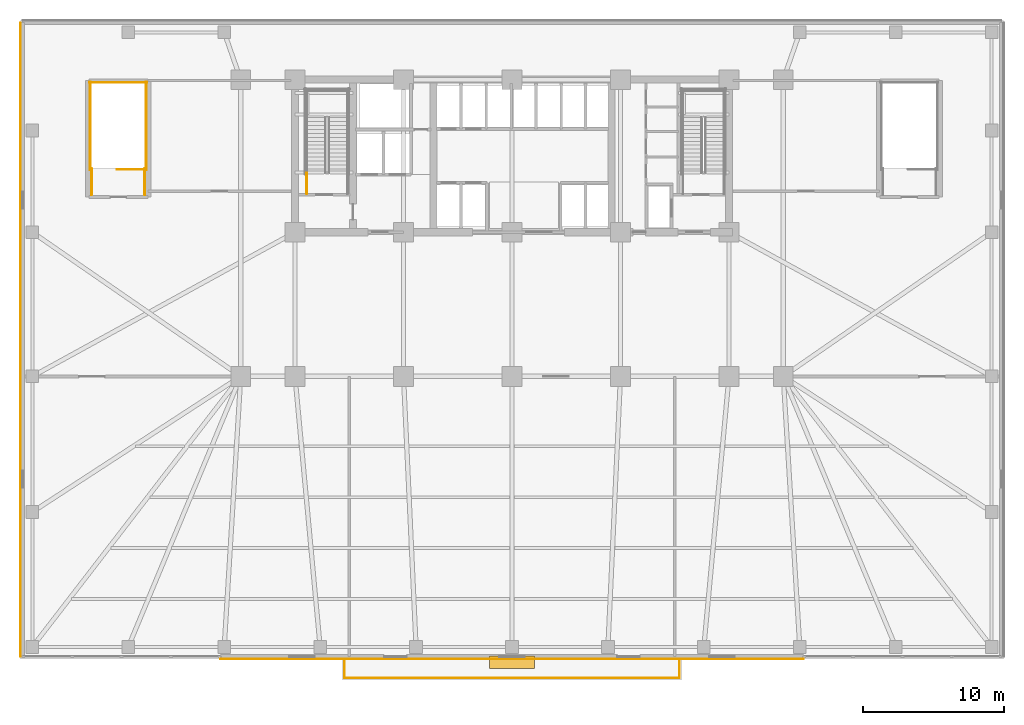
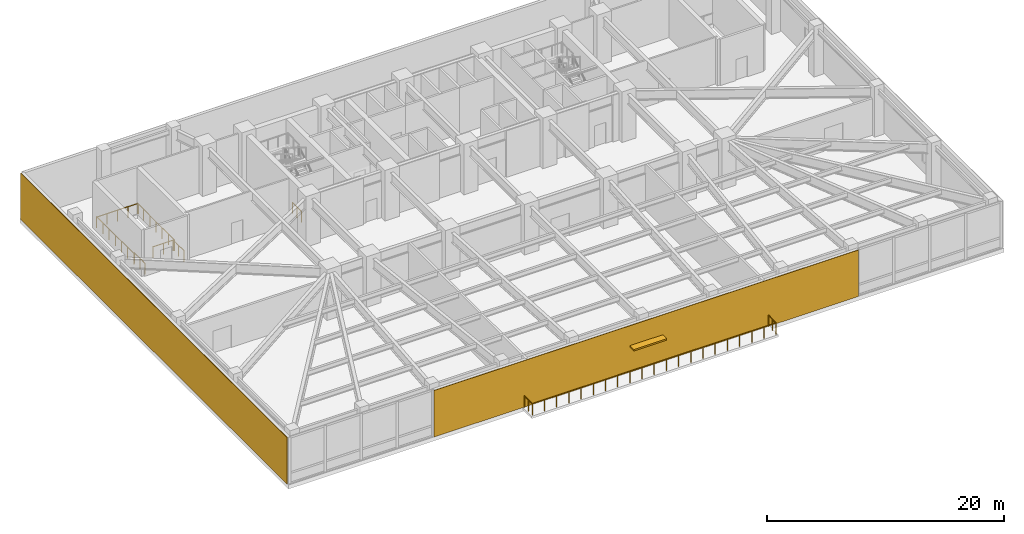
# One storey, part 11 of 15: 8 railings, 2 coverings, 1 shading device.
"""IFC4 building model written with IfcOpenShell, lengths in metres."""

import ifcopenshell
import ifcopenshell.guid

model = None  # the IFC model being written
_history = None  # IfcOwnerHistory: only IFC2X3 demands one
_inside = {}  # id of a spatial element -> (the spatial element, [elements in it])
_under = {}  # id of a project, library or spatial element -> (it, [spatial elements below it])
_declared = {}  # id of a project -> (the project, [libraries it declares])
_typed = {}  # id of a type object -> (the type object, [elements of that type])
_made_of = {}  # id of a material, layer set ... -> (it, [elements and type objects made of it])


def new_model(schema):
    """Start an empty IFC model of exactly this schema.

    Asked for "IFC4X3", IfcOpenShell would pick the latest addendum, in which some entities
    have other attributes; the version numbers below select the first issue.
    IFC2X3 requires an IfcOwnerHistory on every rooted entity: one is made here for all.
    """
    global model, _history
    if schema == "IFC4X3":
        model = ifcopenshell.file(schema_version=(4, 3, 0, 0))
    else:
        model = ifcopenshell.file(schema=schema)
    _inside.clear()
    _under.clear()
    _declared.clear()
    _typed.clear()
    _made_of.clear()
    _history = None
    if model.schema == "IFC2X3":
        org = make("IfcOrganization", Name="unknown")
        user = make(
            "IfcPersonAndOrganization",
            ThePerson=make("IfcPerson", FamilyName="unknown"),
            TheOrganization=org,
        )
        app = make(
            "IfcApplication",
            ApplicationDeveloper=org,
            Version="unknown",
            ApplicationFullName="unknown",
            ApplicationIdentifier="unknown",
        )
        _history = make(
            "IfcOwnerHistory",
            OwningUser=user,
            OwningApplication=app,
            ChangeAction="ADDED",
            CreationDate=0,
        )
    return model


def make(cls, **values):
    """One entity of the class cls with the attributes given. An attribute that is None is left unset."""
    return model.create_entity(
        cls, **{name: value for name, value in values.items() if value is not None}
    )


def rooted(cls, **values):
    """An entity with a GlobalId (a new one), such as an element, a storey or a relation."""
    return make(cls, GlobalId=ifcopenshell.guid.new(), OwnerHistory=_history, **values)


def si_unit(unit_type, name, prefix=None):
    """IfcSIUnit, for example si_unit("LENGTHUNIT", "METRE", prefix="MILLI")."""
    return make("IfcSIUnit", UnitType=unit_type, Prefix=prefix, Name=name)


def assignment(units):
    """IfcUnitAssignment: the units of a project."""
    return None if units is None else make("IfcUnitAssignment", Units=units)


def point(xyz):
    """IfcCartesianPoint."""
    return None if xyz is None else make("IfcCartesianPoint", Coordinates=xyz)


def direction(xyz):
    """IfcDirection."""
    return None if xyz is None else make("IfcDirection", DirectionRatios=xyz)


def frame(location, z_axis=None, x_axis=None):
    """IfcAxis2Placement3D, a coordinate frame: its origin and axes. An axis left out is left unset."""
    return make(
        "IfcAxis2Placement3D",
        Location=point(location),
        Axis=direction(z_axis),
        RefDirection=direction(x_axis),
    )


def frame_2d(location, x_axis=None):
    """IfcAxis2Placement2D, a coordinate frame in the plane: its origin and x axis."""
    return make(
        "IfcAxis2Placement2D", Location=point(location), RefDirection=direction(x_axis)
    )


def origin():
    """The frame at (0, 0, 0) with its axes left unset."""
    return frame((0.0, 0.0, 0.0))


def origin_2d():
    """The frame at (0, 0) in the plane with its x axis left unset."""
    return frame_2d((0.0, 0.0))


def place(relative_to, where):
    """IfcLocalPlacement: puts the frame where relative to a parent placement (None: the world)."""
    return make(
        "IfcLocalPlacement", PlacementRelTo=relative_to, RelativePlacement=where
    )


def context(
    kind, dimensions, precision=None, world=None, true_north=None, identifier=None
):
    """IfcGeometricRepresentationContext, for example the 3D "Model" context."""
    return make(
        "IfcGeometricRepresentationContext",
        ContextIdentifier=identifier,
        ContextType=kind,
        CoordinateSpaceDimension=dimensions,
        Precision=precision,
        WorldCoordinateSystem=world,
        TrueNorth=true_north,
    )


def subcontext(parent, identifier, kind, view, scale=None):
    """IfcGeometricRepresentationSubContext, for example "Body" below "Model"."""
    return make(
        "IfcGeometricRepresentationSubContext",
        ContextIdentifier=identifier,
        ContextType=kind,
        ParentContext=parent,
        TargetScale=scale,
        TargetView=view,
    )


def project(units=None, contexts=None):
    """IfcProject with its units and contexts."""
    return rooted(
        "IfcProject",
        Name="project",
        RepresentationContexts=contexts,
        UnitsInContext=assignment(units),
    )


def spatial(cls, under=None, at=None, **own):
    """A site, building, storey or space (cls), placed at a placement, below another one or the project."""
    s = rooted(cls, ObjectPlacement=at, **own)
    if under is not None:
        _under.setdefault(under.id(), (under, []))[1].append(s)
    return s


def profile(cls, at=None, kind="AREA", **sizes):
    """A parametric profile (cls). Its sizes go by their IFC names, for example OverallWidth=200.0."""
    return make(cls, ProfileType=kind, Position=at, **sizes)


def rectangle(**sizes):
    """IfcRectangleProfileDef."""
    return profile("IfcRectangleProfileDef", **sizes)


def circle(**sizes):
    """IfcCircleProfileDef."""
    return profile("IfcCircleProfileDef", **sizes)


def extrude(swept, where, along, depth):
    """IfcExtrudedAreaSolid: the profile swept, set in the frame where, extruded along a direction by depth."""
    return make(
        "IfcExtrudedAreaSolid",
        SweptArea=swept,
        Position=where,
        ExtrudedDirection=direction(along),
        Depth=depth,
    )


def shape(context_of_items, identifier, shape_type, items):
    """IfcShapeRepresentation: the items that make up one representation, for example the "Body"."""
    return make(
        "IfcShapeRepresentation",
        ContextOfItems=context_of_items,
        RepresentationIdentifier=identifier,
        RepresentationType=shape_type,
        Items=items,
    )


def material(Name=None, Category=None):
    """IfcMaterial."""
    return make("IfcMaterial", Name=Name, Category=Category)


def layer(
    of_material, thickness, ventilated=None, Name=None, Category=None, Priority=None
):
    """IfcMaterialLayer: one layer of a wall or slab, of a material (None: an air gap)."""
    return make(
        "IfcMaterialLayer",
        Material=of_material,
        LayerThickness=thickness,
        IsVentilated=ventilated,
        Name=Name,
        Category=Category,
        Priority=Priority,
    )


def layer_set(layers, Name=None):
    """IfcMaterialLayerSet."""
    return make("IfcMaterialLayerSet", MaterialLayers=layers, LayerSetName=Name)


def made_of(thing, what):
    """Note that an element or type object is made of a material, layer set ...; save() writes the relation."""
    if what is not None:
        _made_of.setdefault(what.id(), (what, []))[1].append(thing)
    return thing


def type_object(cls, material=None, **own):
    """A type object (cls), such as IfcWallType, which elements share."""
    return made_of(rooted(cls, **own), material)


def element(
    cls,
    number,
    at=None,
    inside=None,
    cuts=None,
    type_object=None,
    material=None,
    context=None,
    identifier="Body",
    shape_type=None,
    held_by="IfcProductDefinitionShape",
    body=None,
    shapes=None,
    **own,
):
    """One element of the class cls, such as IfcWall. Its Tag is "e" and its number.

    at: its placement. inside: the storey or other place that contains it. cuts: it is an
    opening in that element (IfcRelVoidsElement). A single representation is given by context,
    identifier, shape_type and body (its items); several are given by shapes. held_by: the class
    of the entity that holds the representations. save() writes the other relations.
    """
    e = rooted(cls, Tag="e%d" % number, ObjectPlacement=at, **own)
    if body is not None:
        shapes = [shape(context, identifier, shape_type, body)]
    if shapes is not None:
        e.Representation = make(held_by, Representations=shapes)
    if inside is not None:
        _inside.setdefault(inside.id(), (inside, []))[1].append(e)
    if cuts is not None:
        rooted(
            "IfcRelVoidsElement", RelatingBuildingElement=cuts, RelatedOpeningElement=e
        )
    if type_object is not None:
        _typed.setdefault(type_object.id(), (type_object, []))[1].append(e)
    return made_of(e, material)


def aggregate(whole, parts):
    """IfcRelAggregates: a whole, such as a stair, and the parts it consists of."""
    return rooted("IfcRelAggregates", RelatingObject=whole, RelatedObjects=parts)


def save(model, path):
    """Write the relations noted so far, then the file.

    IfcRelAggregates (storeys below a building ...), IfcRelContainedInSpatialStructure (elements
    in a storey), IfcRelDefinesByType, IfcRelAssociatesMaterial and IfcRelDeclares: one each for
    every whole, place, type object, material and project.
    """
    for whole, parts in _under.values():
        aggregate(whole, parts)
    for where, things in _inside.values():
        rooted(
            "IfcRelContainedInSpatialStructure",
            RelatedElements=things,
            RelatingStructure=where,
        )
    for kind, things in _typed.values():
        rooted("IfcRelDefinesByType", RelatedObjects=things, RelatingType=kind)
    for what, things in _made_of.values():
        rooted("IfcRelAssociatesMaterial", RelatedObjects=things, RelatingMaterial=what)
    for by, libraries in _declared.values():
        rooted("IfcRelDeclares", RelatingContext=by, RelatedDefinitions=libraries)
    model.write(path)


model = new_model("IFC4")

# Units and contexts
model_context = context("Model", 3, precision=1e-05, world=origin(), true_north=direction((0.0, 1.0)))
body_context = subcontext(model_context, "Body", "Model", "MODEL_VIEW")
ifc_project = project(units=[si_unit("LENGTHUNIT", "METRE"), si_unit("AREAUNIT", "SQUARE_METRE"), si_unit("VOLUMEUNIT", "CUBIC_METRE"), si_unit("PLANEANGLEUNIT", "RADIAN"), si_unit("MASSUNIT", "GRAM", prefix="KILO")], contexts=[model_context])

# Site, building, storey
site_placement = place(None, origin())
site = spatial("IfcSite", under=ifc_project, at=site_placement, CompositionType="ELEMENT")
building_placement = place(site_placement, origin())
building = spatial("IfcBuilding", under=site, at=building_placement, Name="Yelkora Congress Tower", CompositionType="ELEMENT")
storey_placement = place(building_placement, frame((0.0, 0.0, 25.199951171875)))
storey = spatial("IfcBuildingStorey", under=building, at=storey_placement, Name="L05", CompositionType="ELEMENT", Elevation=25.199951171875)

# Coverings
ifc_material_1 = material(Name="Anatolian honed limestone ashlar", Category="masonry")
ifc_layer_1 = layer(ifc_material_1, 0.050048828125)
ifc_layer_set_1 = layer_set([ifc_layer_1], Name="Anatolian honed limestone ashlar")
covering_type = type_object("IfcCoveringType", Name="COV-CLAD-LIMESTONE-50", PredefinedType="CLADDING", material=ifc_layer_set_1)
covering_1_placement = place(storey_placement, frame((3.60009765625, 5.360107421875, 0.0), z_axis=(0.0, 0.0, 1.0), x_axis=(0.0, 1.0, 0.0)))
element("IfcCovering", 1, at=covering_1_placement, inside=storey, type_object=covering_type, Name="L05 Anatolian Limestone Cladding EW-L05-E01", PredefinedType="CLADDING", context=body_context, shape_type="SweptSolid", body=[
    extrude(rectangle(XDim=44.8798828125, YDim=0.050048828125, at=frame_2d((22.43994140625, 0.0))), origin(), (0.0, 0.0, 1.0), 4.780029296875),
])
covering_2_placement = place(storey_placement, frame((17.760009765625, 5.199951171875, 0.0), z_axis=(0.0, 0.0, 1.0), x_axis=(1.0, 0.0, 0.0)))
element("IfcCovering", 2, at=covering_2_placement, inside=storey, type_object=covering_type, Name="L05 Anatolian Limestone Cladding EW-L05-S-TER", PredefinedType="CLADDING", context=body_context, shape_type="SweptSolid", body=[
    extrude(rectangle(XDim=41.280029296875, YDim=0.050048828125, at=frame_2d((20.64013671875, 0.0))), origin(), (0.0, 0.0, 1.0), 4.780029296875),
])

# Railings
ifc_material_2 = material(Name="Painted galvanised steel stair well guard with vertical infill", Category="steel")
ifc_layer_2 = layer(ifc_material_2, 0.06005859375)
ifc_layer_set_2 = layer_set([ifc_layer_2], Name="Painted galvanised steel stair well guard with vertical infill")
railing_type_1 = type_object("IfcRailingType", Name="RAIL-STAIR-GUARD-1120", PredefinedType="GUARDRAIL", material=ifc_layer_set_2)
railing_1_placement = place(storey_placement, frame((23.8701171875, 38.1201171875, 0.0)))
element("IfcRailing", 3, at=railing_1_placement, inside=storey, type_object=railing_type_1, Name="ST-01 L05 Stair Well Guardrail 9", PredefinedType="GUARDRAIL", context=body_context, shape_type="SweptSolid", body=[
    extrude(circle(Radius=0.02392578125, at=origin_2d()), frame((0.0, 0.0, 1.09619140625), z_axis=(0.0, 1.0, 0.0), x_axis=(-1.0, 0.0, 0.0)), (0.0, 0.0, 1.0), 1.47998046875),
    extrude(circle(Radius=0.02099609375, at=origin_2d()), origin(), (0.0, 0.0, 1.0), 1.072021484375),
    extrude(circle(Radius=0.02099609375, at=origin_2d()), frame((0.0, 0.739990234375, 0.0)), (0.0, 0.0, 1.0), 1.072021484375),
    extrude(circle(Radius=0.02099609375, at=origin_2d()), frame((0.0, 1.47998046875, 0.0)), (0.0, 0.0, 1.0), 1.072021484375),
])
railing_2_placement = place(storey_placement, frame((12.4599609375, 39.85009765625, 0.0)))
element("IfcRailing", 4, at=railing_2_placement, inside=storey, type_object=railing_type_1, Name="ST-P1 L05 Top Stair-Well Guardrail 1", PredefinedType="GUARDRAIL", context=body_context, shape_type="SweptSolid", body=[
    extrude(circle(Radius=0.02392578125, at=origin_2d()), frame((0.0, 0.0, 1.09619140625), z_axis=(-1.0, 0.0, 0.0), x_axis=(0.0, -1.0, 0.0)), (0.0, 0.0, 1.0), 2.010009765625),
    extrude(circle(Radius=0.02099609375, at=origin_2d()), origin(), (0.0, 0.0, 1.0), 1.072021484375),
    extrude(circle(Radius=0.02099609375, at=origin_2d()), frame((-1.0048828125, 0.0, 0.0)), (0.0, 0.0, 1.0), 1.072021484375),
    extrude(circle(Radius=0.02099609375, at=origin_2d()), frame((-2.010009765625, 0.0, 0.0)), (0.0, 0.0, 1.0), 1.072021484375),
])
for number, where, name in (
    (5, (12.510009765625, 39.800048828125, 0.0), "ST-P1 L05 Top Stair-Well Guardrail 2"),
    (6, (8.550048828125, 39.800048828125, 0.0), "ST-P1 L05 Top Stair-Well Guardrail 3"),
):
    element("IfcRailing", number, at=place(storey_placement, frame(where)), inside=storey, type_object=railing_type_1, Name=name, PredefinedType="GUARDRAIL", context=body_context, shape_type="SweptSolid", body=[
        extrude(circle(Radius=0.02392578125, at=origin_2d()), frame((0.0, 0.0, 1.09619140625), z_axis=(0.0, 1.0, 0.0), x_axis=(-1.0, 0.0, 0.0)), (0.0, 0.0, 1.0), 6.25),
        extrude(circle(Radius=0.02099609375, at=origin_2d()), origin(), (0.0, 0.0, 1.0), 1.072021484375),
        extrude(circle(Radius=0.02099609375, at=origin_2d()), frame((0.0, 1.041748046875, 0.0)), (0.0, 0.0, 1.0), 1.072021484375),
        extrude(circle(Radius=0.02099609375, at=origin_2d()), frame((0.0, 2.083251953125, 0.0)), (0.0, 0.0, 1.0), 1.072021484375),
        extrude(circle(Radius=0.02099609375, at=origin_2d()), frame((0.0, 3.125, 0.0)), (0.0, 0.0, 1.0), 1.072021484375),
        extrude(circle(Radius=0.02099609375, at=origin_2d()), frame((0.0, 4.166748046875, 0.0)), (0.0, 0.0, 1.0), 1.072021484375),
        extrude(circle(Radius=0.02099609375, at=origin_2d()), frame((0.0, 5.208251953125, 0.0)), (0.0, 0.0, 1.0), 1.072021484375),
        extrude(circle(Radius=0.02099609375, at=origin_2d()), frame((0.0, 6.25, 0.0)), (0.0, 0.0, 1.0), 1.072021484375),
    ])
railing_3_placement = place(storey_placement, frame((12.56005859375, 46.0, 0.0)))
element("IfcRailing", 7, at=railing_3_placement, inside=storey, type_object=railing_type_1, Name="ST-P1 L05 Top Stair-Well Guardrail 4", PredefinedType="GUARDRAIL", context=body_context, shape_type="SweptSolid", body=[
    extrude(circle(Radius=0.02392578125, at=origin_2d()), frame((0.0, 0.0, 1.09619140625), z_axis=(-1.0, 0.0, 0.0), x_axis=(0.0, -1.0, 0.0)), (0.0, 0.0, 1.0), 4.06005859375),
    extrude(circle(Radius=0.02099609375, at=origin_2d()), origin(), (0.0, 0.0, 1.0), 1.072021484375),
    extrude(circle(Radius=0.02099609375, at=origin_2d()), frame((-1.01513671875, 0.0, 0.0)), (0.0, 0.0, 1.0), 1.072021484375),
    extrude(circle(Radius=0.02099609375, at=origin_2d()), frame((-2.030029296875, 0.0, 0.0)), (0.0, 0.0, 1.0), 1.072021484375),
    extrude(circle(Radius=0.02099609375, at=origin_2d()), frame((-3.044921875, 0.0, 0.0)), (0.0, 0.0, 1.0), 1.072021484375),
    extrude(circle(Radius=0.02099609375, at=origin_2d()), frame((-4.06005859375, 0.0, 0.0)), (0.0, 0.0, 1.0), 1.072021484375),
])
for number, where, name in (
    (8, (12.409912109375, 38.050048828125, 0.0), "ST-P1 L05 Top Stair-Well Guardrail 5"),
    (9, (8.64990234375, 38.050048828125, 0.0), "ST-P1 L05 Top Stair-Well Guardrail 6"),
):
    element("IfcRailing", number, at=place(storey_placement, frame(where)), inside=storey, type_object=railing_type_1, Name=name, PredefinedType="GUARDRAIL", context=body_context, shape_type="SweptSolid", body=[
        extrude(circle(Radius=0.02392578125, at=origin_2d()), frame((0.0, 0.0, 1.09619140625), z_axis=(0.0, 1.0, 0.0), x_axis=(-1.0, 0.0, 0.0)), (0.0, 0.0, 1.0), 1.849853515625),
        extrude(circle(Radius=0.02099609375, at=origin_2d()), origin(), (0.0, 0.0, 1.0), 1.072021484375),
        extrude(circle(Radius=0.02099609375, at=origin_2d()), frame((0.0, 0.9248046875, 0.0)), (0.0, 0.0, 1.0), 1.072021484375),
        extrude(circle(Radius=0.02099609375, at=origin_2d()), frame((0.0, 1.849853515625, 0.0)), (0.0, 0.0, 1.0), 1.072021484375),
    ])
ifc_material_3 = material(Name="Laminated structural glass balustrade with stainless cap rail", Category="glass")
ifc_layer_3 = layer(ifc_material_3, 0.10009765625)
ifc_layer_set_3 = layer_set([ifc_layer_3], Name="Laminated structural glass balustrade with stainless cap rail")
railing_type_2 = type_object("IfcRailingType", Name="RAIL-TER-BALUSTRADE-1180", PredefinedType="BALUSTRADE", material=ifc_layer_set_3)
railing_4_placement = place(storey_placement, frame((26.5400390625, 5.159912109375, 0.0)))
element("IfcRailing", 10, at=railing_4_placement, inside=storey, type_object=railing_type_2, Name="L05 Sky Garden Terrace Perimeter Guardrail", PredefinedType="BALUSTRADE", context=body_context, shape_type="SweptSolid", body=[
    extrude(circle(Radius=0.02392578125, at=origin_2d()), frame((0.0, 0.0, 1.15576171875), z_axis=(0.0, -1.0, 0.0), x_axis=(1.0, 0.0, 0.0)), (0.0, 0.0, 1.0), 1.31982421875),
    extrude(circle(Radius=0.02392578125, at=origin_2d()), frame((0.0, -1.31982421875, 1.15576171875), z_axis=(1.0, 0.0, 0.0), x_axis=(0.0, 1.0, 0.0)), (0.0, 0.0, 1.0), 23.719970703125),
    extrude(circle(Radius=0.02392578125, at=origin_2d()), frame((23.719970703125, -1.31982421875, 1.15576171875), z_axis=(0.0, 1.0, 0.0), x_axis=(-1.0, 0.0, 0.0)), (0.0, 0.0, 1.0), 1.31982421875),
    extrude(circle(Radius=0.02099609375, at=origin_2d()), origin(), (0.0, 0.0, 1.0), 1.1318359375),
    extrude(circle(Radius=0.02099609375, at=origin_2d()), frame((0.0, -0.659912109375, 0.0)), (0.0, 0.0, 1.0), 1.1318359375),
    extrude(circle(Radius=0.02099609375, at=origin_2d()), frame((0.0, -1.31982421875, 0.0)), (0.0, 0.0, 1.0), 1.1318359375),
    extrude(circle(Radius=0.02099609375, at=origin_2d()), frame((1.18603515625, -1.31982421875, 0.0)), (0.0, 0.0, 1.0), 1.1318359375),
    extrude(circle(Radius=0.02099609375, at=origin_2d()), frame((2.3720703125, -1.31982421875, 0.0)), (0.0, 0.0, 1.0), 1.1318359375),
    extrude(circle(Radius=0.02099609375, at=origin_2d()), frame((3.55810546875, -1.31982421875, 0.0)), (0.0, 0.0, 1.0), 1.1318359375),
    extrude(circle(Radius=0.02099609375, at=origin_2d()), frame((4.743896484375, -1.31982421875, 0.0)), (0.0, 0.0, 1.0), 1.1318359375),
    extrude(circle(Radius=0.02099609375, at=origin_2d()), frame((5.929931640625, -1.31982421875, 0.0)), (0.0, 0.0, 1.0), 1.1318359375),
    extrude(circle(Radius=0.02099609375, at=origin_2d()), frame((7.115966796875, -1.31982421875, 0.0)), (0.0, 0.0, 1.0), 1.1318359375),
    extrude(circle(Radius=0.02099609375, at=origin_2d()), frame((8.302001953125, -1.31982421875, 0.0)), (0.0, 0.0, 1.0), 1.1318359375),
    extrude(circle(Radius=0.02099609375, at=origin_2d()), frame((9.488037109375, -1.31982421875, 0.0)), (0.0, 0.0, 1.0), 1.1318359375),
    extrude(circle(Radius=0.02099609375, at=origin_2d()), frame((10.674072265625, -1.31982421875, 0.0)), (0.0, 0.0, 1.0), 1.1318359375),
    extrude(circle(Radius=0.02099609375, at=origin_2d()), frame((11.85986328125, -1.31982421875, 0.0)), (0.0, 0.0, 1.0), 1.1318359375),
    extrude(circle(Radius=0.02099609375, at=origin_2d()), frame((13.0458984375, -1.31982421875, 0.0)), (0.0, 0.0, 1.0), 1.1318359375),
    extrude(circle(Radius=0.02099609375, at=origin_2d()), frame((14.23193359375, -1.31982421875, 0.0)), (0.0, 0.0, 1.0), 1.1318359375),
    extrude(circle(Radius=0.02099609375, at=origin_2d()), frame((15.41796875, -1.31982421875, 0.0)), (0.0, 0.0, 1.0), 1.1318359375),
    extrude(circle(Radius=0.02099609375, at=origin_2d()), frame((16.60400390625, -1.31982421875, 0.0)), (0.0, 0.0, 1.0), 1.1318359375),
    extrude(circle(Radius=0.02099609375, at=origin_2d()), frame((17.7900390625, -1.31982421875, 0.0)), (0.0, 0.0, 1.0), 1.1318359375),
    extrude(circle(Radius=0.02099609375, at=origin_2d()), frame((18.97607421875, -1.31982421875, 0.0)), (0.0, 0.0, 1.0), 1.1318359375),
    extrude(circle(Radius=0.02099609375, at=origin_2d()), frame((20.161865234375, -1.31982421875, 0.0)), (0.0, 0.0, 1.0), 1.1318359375),
    extrude(circle(Radius=0.02099609375, at=origin_2d()), frame((21.347900390625, -1.31982421875, 0.0)), (0.0, 0.0, 1.0), 1.1318359375),
    extrude(circle(Radius=0.02099609375, at=origin_2d()), frame((22.533935546875, -1.31982421875, 0.0)), (0.0, 0.0, 1.0), 1.1318359375),
    extrude(circle(Radius=0.02099609375, at=origin_2d()), frame((23.719970703125, -1.31982421875, 0.0)), (0.0, 0.0, 1.0), 1.1318359375),
    extrude(circle(Radius=0.02099609375, at=origin_2d()), frame((23.719970703125, -0.659912109375, 0.0)), (0.0, 0.0, 1.0), 1.1318359375),
    extrude(circle(Radius=0.02099609375, at=origin_2d()), frame((23.719970703125, 0.0, 0.0)), (0.0, 0.0, 1.0), 1.1318359375),
])

# Shading device
ifc_material_4 = material(Name="Anodised aluminium aerofoil", Category="aluminium")
ifc_layer_4 = layer(ifc_material_4, 0.159912109375)
ifc_layer_set_4 = layer_set([ifc_layer_4], Name="Anodised aluminium aerofoil")
shading_device_type = type_object("IfcShadingDeviceType", Name="SHD-SUNSHADE-900", PredefinedType="USERDEFINED", material=ifc_layer_set_4)
shading_device_placement = place(storey_placement, frame((38.39990234375, 4.9599609375, 2.5703125), z_axis=(0.0, 0.0, 1.0), x_axis=(1.0, 0.0, 0.0)))
element("IfcShadingDevice", 11, at=shading_device_placement, inside=storey, type_object=shading_device_type, Name="L05 Terrace Portal Aerofoil Sunshade", ObjectType="SUNSHADE", PredefinedType="USERDEFINED", context=body_context, shape_type="SweptSolid", body=[
    extrude(rectangle(XDim=3.199951171875, YDim=0.89990234375, at=origin_2d()), origin(), (0.0, 0.0, 1.0), 0.159912109375),
])

save(model, "model.ifc")
